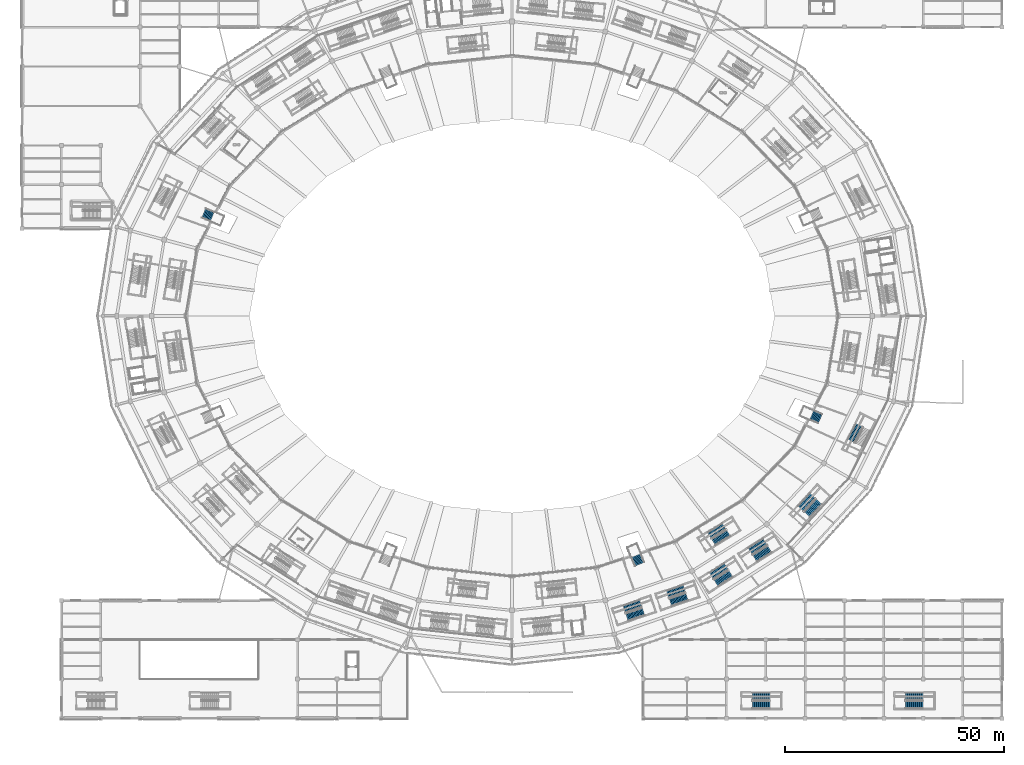
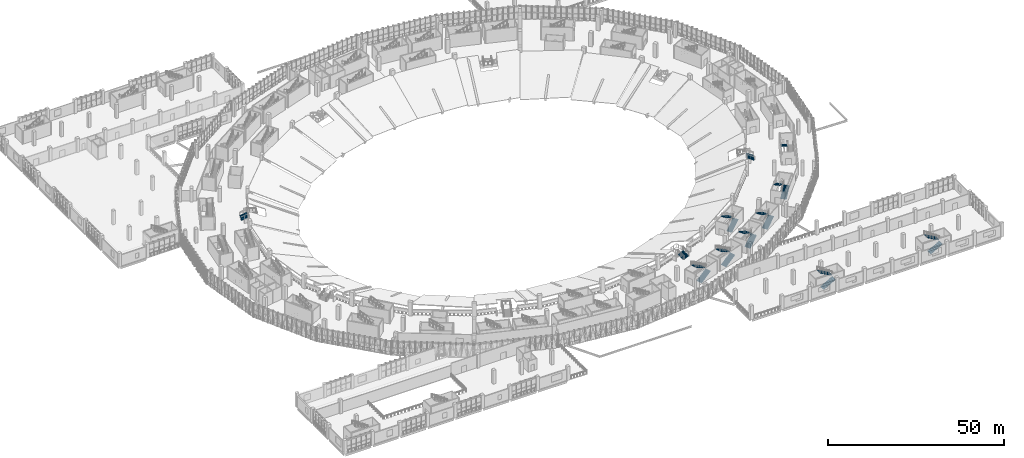
# One storey, part 115 of 183: 20 stair flights, 12 elements without a shape of their own.
"""IFC4 building model written with IfcOpenShell, lengths in metres."""

from ifc_helpers import new_model, si_unit, direction, frame, origin, place, context, subcontext, project, spatial, polyline, outline, extrude, material, type_object, element, aggregate, save


model = new_model("IFC4")

# Units and contexts
model_context = context("Model", 3, precision=1e-05, world=origin(), true_north=direction((0.0, 1.0)))
body_context = subcontext(model_context, "Body", "Model", "MODEL_VIEW")
ifc_project = project(units=[si_unit("LENGTHUNIT", "METRE"), si_unit("AREAUNIT", "SQUARE_METRE"), si_unit("VOLUMEUNIT", "CUBIC_METRE"), si_unit("PLANEANGLEUNIT", "RADIAN"), si_unit("MASSUNIT", "GRAM", prefix="KILO")], contexts=[model_context])

# Site, building, storey
site_placement = place(None, origin())
site = spatial("IfcSite", under=ifc_project, at=site_placement, CompositionType="ELEMENT")
building_placement = place(site_placement, origin())
building = spatial("IfcBuilding", under=site, at=building_placement, Name="Zevraka Park Crest Stadium", CompositionType="ELEMENT")
storey_placement = place(building_placement, frame((0.0, 0.0, 5.39990234375)))
storey = spatial("IfcBuildingStorey", under=building, at=storey_placement, Name="L01", CompositionType="ELEMENT", Elevation=5.39990234375)

# Stair, stair flights
ifc_material_1 = material(Name="Concrete C35/45", Category="concrete")
stair_type_1 = type_object("IfcStairType", Name="STA2", PredefinedType="HALF_TURN_STAIR", material=ifc_material_1)
stair_1_placement = place(storey_placement, origin())
stair_1 = element("IfcStair", 1, at=stair_1_placement, inside=storey, type_object=stair_type_1, Name="L01 Protected Concourse Exit Stair ST20", PredefinedType="HALF_TURN_STAIR")
ifc_material_2 = material(Name="Concrete C35/45", Category="concrete")
stair_flight_type_1 = type_object("IfcStairFlightType", Name="FLA2", PredefinedType="STRAIGHT", material=ifc_material_2)
stair_flight_1_placement = place(storey_placement, frame((138.29150390625, 23.13232421875, 0.0), z_axis=(0.0, 0.0, 1.0), x_axis=(0.946066135515, 0.323973559463, 0.0)))
stair_flight_1 = element("IfcStairFlight", 2, at=stair_flight_1_placement, type_object=stair_flight_type_1, Name="ST20 flight 1", NumberOfRisers=14, NumberOfTreads=13, PredefinedType="STRAIGHT", RiserHeight=0.171428571, TreadLength=0.305, context=body_context, shape_type="SweptSolid", body=[
    extrude(outline(polyline([(0.0, 0.0), (0.0, 0.17138671875), (0.304931640625, 0.17138671875), (0.304931640625, 0.3427734375), (0.610107421875, 0.3427734375), (0.610107421875, 0.514404296875), (0.9150390625, 0.514404296875), (0.9150390625, 0.685791015625), (1.219970703125, 0.685791015625), (1.219970703125, 0.857177734375), (1.52490234375, 0.857177734375), (1.52490234375, 1.028564453125), (1.830078125, 1.028564453125), (1.830078125, 1.199951171875), (2.135009765625, 1.199951171875), (2.135009765625, 1.371337890625), (2.43994140625, 1.371337890625), (2.43994140625, 1.54296875), (2.7451171875, 1.54296875), (2.7451171875, 1.71435546875), (3.050048828125, 1.71435546875), (3.050048828125, 1.8857421875), (3.35498046875, 1.8857421875), (3.35498046875, 2.05712890625), (3.659912109375, 2.05712890625), (3.659912109375, 2.228515625), (3.965087890625, 2.228515625), (3.965087890625, 2.39990234375), (3.965087890625, 2.045166015625), (0.326416015625, 0.0), (0.0, 0.0)])), frame((0.0, 0.89990234375, 0.0), z_axis=(0.0, -1.0, 0.0), x_axis=(1.0, 0.0, 0.0)), (0.0, 0.0, 1.0), 1.800048828125),
])
stair_flight_2_placement = place(storey_placement, frame((141.40771484375, 26.271240234375, 2.400146484375), z_axis=(0.0, 0.0, 1.0), x_axis=(-0.946066135515, -0.323973559463, 0.0)))
stair_flight_2 = element("IfcStairFlight", 3, at=stair_flight_2_placement, type_object=stair_flight_type_1, Name="ST20 flight 2", NumberOfRisers=14, NumberOfTreads=13, PredefinedType="STRAIGHT", RiserHeight=0.171428571, TreadLength=0.305, context=body_context, shape_type="SweptSolid", body=[
    extrude(outline(polyline([(0.0, 0.0), (0.0, 0.17138671875), (0.304931640625, 0.17138671875), (0.304931640625, 0.3427734375), (0.610107421875, 0.3427734375), (0.610107421875, 0.514404296875), (0.9150390625, 0.514404296875), (0.9150390625, 0.685791015625), (1.219970703125, 0.685791015625), (1.219970703125, 0.857177734375), (1.52490234375, 0.857177734375), (1.52490234375, 1.028564453125), (1.830078125, 1.028564453125), (1.830078125, 1.199951171875), (2.135009765625, 1.199951171875), (2.135009765625, 1.371337890625), (2.43994140625, 1.371337890625), (2.43994140625, 1.54296875), (2.7451171875, 1.54296875), (2.7451171875, 1.71435546875), (3.050048828125, 1.71435546875), (3.050048828125, 1.8857421875), (3.35498046875, 1.8857421875), (3.35498046875, 2.05712890625), (3.659912109375, 2.05712890625), (3.659912109375, 2.228515625), (3.965087890625, 2.228515625), (3.965087890625, 2.39990234375), (3.965087890625, 2.045166015625), (0.326416015625, 0.0), (0.0, 0.0)])), frame((0.0, 0.89990234375, 0.0), z_axis=(0.0, -1.0, 0.0), x_axis=(1.0, 0.0, 0.0)), (0.0, 0.0, 1.0), 1.800048828125),
])
aggregate(stair_1, [stair_flight_1, stair_flight_2])

stair_2_placement = place(storey_placement, origin())
stair_2 = element("IfcStair", 4, at=stair_2_placement, inside=storey, type_object=stair_type_1, Name="L01 Protected Concourse Exit Stair ST21", PredefinedType="HALF_TURN_STAIR")
stair_flight_3_placement = place(storey_placement, frame((158.64990234375, 30.957275390625, 0.0), z_axis=(0.0, 0.0, 1.0), x_axis=(0.844397122829, 0.535717741874, 0.0)))
stair_flight_3 = element("IfcStairFlight", 5, at=stair_flight_3_placement, type_object=stair_flight_type_1, Name="ST21 flight 1", NumberOfRisers=14, NumberOfTreads=13, PredefinedType="STRAIGHT", RiserHeight=0.171428571, TreadLength=0.305, context=body_context, shape_type="SweptSolid", body=[
    extrude(outline(polyline([(0.0, 0.0), (0.0, 0.17138671875), (0.304931640625, 0.17138671875), (0.304931640625, 0.3427734375), (0.610107421875, 0.3427734375), (0.610107421875, 0.514404296875), (0.9150390625, 0.514404296875), (0.9150390625, 0.685791015625), (1.219970703125, 0.685791015625), (1.219970703125, 0.857177734375), (1.52490234375, 0.857177734375), (1.52490234375, 1.028564453125), (1.830078125, 1.028564453125), (1.830078125, 1.199951171875), (2.135009765625, 1.199951171875), (2.135009765625, 1.371337890625), (2.43994140625, 1.371337890625), (2.43994140625, 1.54296875), (2.7451171875, 1.54296875), (2.7451171875, 1.71435546875), (3.050048828125, 1.71435546875), (3.050048828125, 1.8857421875), (3.35498046875, 1.8857421875), (3.35498046875, 2.05712890625), (3.659912109375, 2.05712890625), (3.659912109375, 2.228515625), (3.965087890625, 2.228515625), (3.965087890625, 2.39990234375), (3.965087890625, 2.045166015625), (0.326416015625, 0.0), (0.0, 0.0)])), frame((0.0, 0.89990234375, 0.0), z_axis=(0.0, -1.0, 0.0), x_axis=(1.0, 0.0, 0.0)), (0.0, 0.0, 1.0), 1.800048828125),
])
stair_flight_4_placement = place(storey_placement, frame((160.94775390625, 34.736328125, 2.400146484375), z_axis=(0.0, 0.0, 1.0), x_axis=(-0.844397122829, -0.535717741874, 0.0)))
stair_flight_4 = element("IfcStairFlight", 6, at=stair_flight_4_placement, type_object=stair_flight_type_1, Name="ST21 flight 2", NumberOfRisers=14, NumberOfTreads=13, PredefinedType="STRAIGHT", RiserHeight=0.171428571, TreadLength=0.305, context=body_context, shape_type="SweptSolid", body=[
    extrude(outline(polyline([(0.0, 0.0), (0.0, 0.17138671875), (0.304931640625, 0.17138671875), (0.304931640625, 0.3427734375), (0.610107421875, 0.3427734375), (0.610107421875, 0.514404296875), (0.9150390625, 0.514404296875), (0.9150390625, 0.685791015625), (1.219970703125, 0.685791015625), (1.219970703125, 0.857177734375), (1.52490234375, 0.857177734375), (1.52490234375, 1.028564453125), (1.830078125, 1.028564453125), (1.830078125, 1.199951171875), (2.135009765625, 1.199951171875), (2.135009765625, 1.371337890625), (2.43994140625, 1.371337890625), (2.43994140625, 1.54296875), (2.7451171875, 1.54296875), (2.7451171875, 1.71435546875), (3.050048828125, 1.71435546875), (3.050048828125, 1.8857421875), (3.35498046875, 1.8857421875), (3.35498046875, 2.05712890625), (3.659912109375, 2.05712890625), (3.659912109375, 2.228515625), (3.965087890625, 2.228515625), (3.965087890625, 2.39990234375), (3.965087890625, 2.045166015625), (0.326416015625, 0.0), (0.0, 0.0)])), frame((0.0, 0.89990234375, 0.0), z_axis=(0.0, -1.0, 0.0), x_axis=(1.0, 0.0, 0.0)), (0.0, 0.0, 1.0), 1.800048828125),
])
aggregate(stair_2, [stair_flight_3, stair_flight_4])

stair_3_placement = place(storey_placement, origin())
stair_3 = element("IfcStair", 7, at=stair_3_placement, inside=storey, type_object=stair_type_1, Name="L01 Protected Concourse Exit Stair ST22", PredefinedType="HALF_TURN_STAIR")
stair_flight_5_placement = place(storey_placement, frame((179.4580078125, 46.634765625, 0.0), z_axis=(0.0, 0.0, 1.0), x_axis=(0.680255347227, 0.732975212793, 0.0)))
stair_flight_5 = element("IfcStairFlight", 8, at=stair_flight_5_placement, type_object=stair_flight_type_1, Name="ST22 flight 1", NumberOfRisers=14, NumberOfTreads=13, PredefinedType="STRAIGHT", RiserHeight=0.171428571, TreadLength=0.305, context=body_context, shape_type="SweptSolid", body=[
    extrude(outline(polyline([(0.0, 0.0), (0.0, 0.17138671875), (0.304931640625, 0.17138671875), (0.304931640625, 0.3427734375), (0.610107421875, 0.3427734375), (0.610107421875, 0.514404296875), (0.9150390625, 0.514404296875), (0.9150390625, 0.685791015625), (1.219970703125, 0.685791015625), (1.219970703125, 0.857177734375), (1.52490234375, 0.857177734375), (1.52490234375, 1.028564453125), (1.830078125, 1.028564453125), (1.830078125, 1.199951171875), (2.135009765625, 1.199951171875), (2.135009765625, 1.371337890625), (2.43994140625, 1.371337890625), (2.43994140625, 1.54296875), (2.7451171875, 1.54296875), (2.7451171875, 1.71435546875), (3.050048828125, 1.71435546875), (3.050048828125, 1.8857421875), (3.35498046875, 1.8857421875), (3.35498046875, 2.05712890625), (3.659912109375, 2.05712890625), (3.659912109375, 2.228515625), (3.965087890625, 2.228515625), (3.965087890625, 2.39990234375), (3.965087890625, 2.045166015625), (0.326416015625, 0.0), (0.0, 0.0)])), frame((0.0, 0.89990234375, 0.0), z_axis=(0.0, -1.0, 0.0), x_axis=(1.0, 0.0, 0.0)), (0.0, 0.0, 1.0), 1.800048828125),
])
stair_flight_6_placement = place(storey_placement, frame((180.718505859375, 50.874267578125, 2.400146484375), z_axis=(0.0, 0.0, 1.0), x_axis=(-0.680255347227, -0.732975212793, 0.0)))
stair_flight_6 = element("IfcStairFlight", 9, at=stair_flight_6_placement, type_object=stair_flight_type_1, Name="ST22 flight 2", NumberOfRisers=14, NumberOfTreads=13, PredefinedType="STRAIGHT", RiserHeight=0.171428571, TreadLength=0.305, context=body_context, shape_type="SweptSolid", body=[
    extrude(outline(polyline([(0.0, 0.0), (0.0, 0.17138671875), (0.304931640625, 0.17138671875), (0.304931640625, 0.3427734375), (0.610107421875, 0.3427734375), (0.610107421875, 0.514404296875), (0.9150390625, 0.514404296875), (0.9150390625, 0.685791015625), (1.219970703125, 0.685791015625), (1.219970703125, 0.857177734375), (1.52490234375, 0.857177734375), (1.52490234375, 1.028564453125), (1.830078125, 1.028564453125), (1.830078125, 1.199951171875), (2.135009765625, 1.199951171875), (2.135009765625, 1.371337890625), (2.43994140625, 1.371337890625), (2.43994140625, 1.54296875), (2.7451171875, 1.54296875), (2.7451171875, 1.71435546875), (3.050048828125, 1.71435546875), (3.050048828125, 1.8857421875), (3.35498046875, 1.8857421875), (3.35498046875, 2.05712890625), (3.659912109375, 2.05712890625), (3.659912109375, 2.228515625), (3.965087890625, 2.228515625), (3.965087890625, 2.39990234375), (3.965087890625, 2.045166015625), (0.326416015625, 0.0), (0.0, 0.0)])), frame((0.0, 0.89990234375, 0.0), z_axis=(0.0, -1.0, 0.0), x_axis=(1.0, 0.0, 0.0)), (0.0, 0.0, 1.0), 1.800048828125),
])
aggregate(stair_3, [stair_flight_5, stair_flight_6])

# Stair, stair flight
stair_4_placement = place(storey_placement, origin())
stair_4 = element("IfcStair", 10, at=stair_4_placement, inside=storey, type_object=stair_type_1, Name="L01 Protected Concourse Exit Stair ST23", PredefinedType="HALF_TURN_STAIR")
stair_flight_7_placement = place(storey_placement, frame((191.315673828125, 67.00732421875, 2.400146484375), z_axis=(0.0, 0.0, 1.0), x_axis=(-0.447915140373, -0.894076074518, 0.0)))
stair_flight_7 = element("IfcStairFlight", 11, at=stair_flight_7_placement, type_object=stair_flight_type_1, Name="ST23 flight 2", NumberOfRisers=14, NumberOfTreads=13, PredefinedType="STRAIGHT", RiserHeight=0.171428571, TreadLength=0.305, context=body_context, shape_type="SweptSolid", body=[
    extrude(outline(polyline([(0.0, 0.0), (0.0, 0.17138671875), (0.304931640625, 0.17138671875), (0.304931640625, 0.3427734375), (0.610107421875, 0.3427734375), (0.610107421875, 0.514404296875), (0.9150390625, 0.514404296875), (0.9150390625, 0.685791015625), (1.219970703125, 0.685791015625), (1.219970703125, 0.857177734375), (1.52490234375, 0.857177734375), (1.52490234375, 1.028564453125), (1.830078125, 1.028564453125), (1.830078125, 1.199951171875), (2.135009765625, 1.199951171875), (2.135009765625, 1.371337890625), (2.43994140625, 1.371337890625), (2.43994140625, 1.54296875), (2.7451171875, 1.54296875), (2.7451171875, 1.71435546875), (3.050048828125, 1.71435546875), (3.050048828125, 1.8857421875), (3.35498046875, 1.8857421875), (3.35498046875, 2.05712890625), (3.659912109375, 2.05712890625), (3.659912109375, 2.228515625), (3.965087890625, 2.228515625), (3.965087890625, 2.39990234375), (3.965087890625, 2.045166015625), (0.326416015625, 0.0), (0.0, 0.0)])), frame((0.0, 0.89990234375, 0.0), z_axis=(0.0, -1.0, 0.0), x_axis=(1.0, 0.0, 0.0)), (0.0, 0.0, 1.0), 1.800048828125),
])
aggregate(stair_4, [stair_flight_7])

# Stair, stair flights
stair_5_placement = place(storey_placement, origin())
stair_5 = element("IfcStair", 12, at=stair_5_placement, inside=storey, type_object=stair_type_1, Name="L01 Protected Paired Concourse Exit Stair ST31", PredefinedType="HALF_TURN_STAIR")
stair_flight_8_placement = place(storey_placement, frame((148.2255859375, 26.533447265625, 0.0), z_axis=(0.0, 0.0, 1.0), x_axis=(0.946066135515, 0.323973559463, 0.0)))
stair_flight_8 = element("IfcStairFlight", 13, at=stair_flight_8_placement, type_object=stair_flight_type_1, Name="ST31 flight 1", NumberOfRisers=14, NumberOfTreads=13, PredefinedType="STRAIGHT", RiserHeight=0.171428571, TreadLength=0.305, context=body_context, shape_type="SweptSolid", body=[
    extrude(outline(polyline([(0.0, 0.0), (0.0, 0.17138671875), (0.304931640625, 0.17138671875), (0.304931640625, 0.3427734375), (0.610107421875, 0.3427734375), (0.610107421875, 0.514404296875), (0.9150390625, 0.514404296875), (0.9150390625, 0.685791015625), (1.219970703125, 0.685791015625), (1.219970703125, 0.857177734375), (1.52490234375, 0.857177734375), (1.52490234375, 1.028564453125), (1.830078125, 1.028564453125), (1.830078125, 1.199951171875), (2.135009765625, 1.199951171875), (2.135009765625, 1.371337890625), (2.43994140625, 1.371337890625), (2.43994140625, 1.54296875), (2.7451171875, 1.54296875), (2.7451171875, 1.71435546875), (3.050048828125, 1.71435546875), (3.050048828125, 1.8857421875), (3.35498046875, 1.8857421875), (3.35498046875, 2.05712890625), (3.659912109375, 2.05712890625), (3.659912109375, 2.228515625), (3.965087890625, 2.228515625), (3.965087890625, 2.39990234375), (3.965087890625, 2.045166015625), (0.326416015625, 0.0), (0.0, 0.0)])), frame((0.0, 0.89990234375, 0.0), z_axis=(0.0, -1.0, 0.0), x_axis=(1.0, 0.0, 0.0)), (0.0, 0.0, 1.0), 1.800048828125),
])
stair_flight_9_placement = place(storey_placement, frame((151.341796875, 29.672119140625, 2.400146484375), z_axis=(0.0, 0.0, 1.0), x_axis=(-0.946066135515, -0.323973559463, 0.0)))
stair_flight_9 = element("IfcStairFlight", 14, at=stair_flight_9_placement, type_object=stair_flight_type_1, Name="ST31 flight 2", NumberOfRisers=14, NumberOfTreads=13, PredefinedType="STRAIGHT", RiserHeight=0.171428571, TreadLength=0.305, context=body_context, shape_type="SweptSolid", body=[
    extrude(outline(polyline([(0.0, 0.0), (0.0, 0.17138671875), (0.304931640625, 0.17138671875), (0.304931640625, 0.3427734375), (0.610107421875, 0.3427734375), (0.610107421875, 0.514404296875), (0.9150390625, 0.514404296875), (0.9150390625, 0.685791015625), (1.219970703125, 0.685791015625), (1.219970703125, 0.857177734375), (1.52490234375, 0.857177734375), (1.52490234375, 1.028564453125), (1.830078125, 1.028564453125), (1.830078125, 1.199951171875), (2.135009765625, 1.199951171875), (2.135009765625, 1.371337890625), (2.43994140625, 1.371337890625), (2.43994140625, 1.54296875), (2.7451171875, 1.54296875), (2.7451171875, 1.71435546875), (3.050048828125, 1.71435546875), (3.050048828125, 1.8857421875), (3.35498046875, 1.8857421875), (3.35498046875, 2.05712890625), (3.659912109375, 2.05712890625), (3.659912109375, 2.228515625), (3.965087890625, 2.228515625), (3.965087890625, 2.39990234375), (3.965087890625, 2.045166015625), (0.326416015625, 0.0), (0.0, 0.0)])), frame((0.0, 0.89990234375, 0.0), z_axis=(0.0, -1.0, 0.0), x_axis=(1.0, 0.0, 0.0)), (0.0, 0.0, 1.0), 1.800048828125),
])
aggregate(stair_5, [stair_flight_8, stair_flight_9])

stair_6_placement = place(storey_placement, origin())
stair_6 = element("IfcStair", 15, at=stair_6_placement, inside=storey, type_object=stair_type_1, Name="L01 Protected Paired Concourse Exit Stair ST32", PredefinedType="HALF_TURN_STAIR")
stair_flight_10_placement = place(storey_placement, frame((167.515869140625, 36.582275390625, 0.0), z_axis=(0.0, 0.0, 1.0), x_axis=(0.844397122829, 0.535717741874, 0.0)))
stair_flight_10 = element("IfcStairFlight", 16, at=stair_flight_10_placement, type_object=stair_flight_type_1, Name="ST32 flight 1", NumberOfRisers=14, NumberOfTreads=13, PredefinedType="STRAIGHT", RiserHeight=0.171428571, TreadLength=0.305, context=body_context, shape_type="SweptSolid", body=[
    extrude(outline(polyline([(0.0, 0.0), (0.0, 0.17138671875), (0.304931640625, 0.17138671875), (0.304931640625, 0.3427734375), (0.610107421875, 0.3427734375), (0.610107421875, 0.514404296875), (0.9150390625, 0.514404296875), (0.9150390625, 0.685791015625), (1.219970703125, 0.685791015625), (1.219970703125, 0.857177734375), (1.52490234375, 0.857177734375), (1.52490234375, 1.028564453125), (1.830078125, 1.028564453125), (1.830078125, 1.199951171875), (2.135009765625, 1.199951171875), (2.135009765625, 1.371337890625), (2.43994140625, 1.371337890625), (2.43994140625, 1.54296875), (2.7451171875, 1.54296875), (2.7451171875, 1.71435546875), (3.050048828125, 1.71435546875), (3.050048828125, 1.8857421875), (3.35498046875, 1.8857421875), (3.35498046875, 2.05712890625), (3.659912109375, 2.05712890625), (3.659912109375, 2.228515625), (3.965087890625, 2.228515625), (3.965087890625, 2.39990234375), (3.965087890625, 2.045166015625), (0.326416015625, 0.0), (0.0, 0.0)])), frame((0.0, 0.89990234375, 0.0), z_axis=(0.0, -1.0, 0.0), x_axis=(1.0, 0.0, 0.0)), (0.0, 0.0, 1.0), 1.800048828125),
])
stair_flight_11_placement = place(storey_placement, frame((169.81396484375, 40.361328125, 2.400146484375), z_axis=(0.0, 0.0, 1.0), x_axis=(-0.844397122829, -0.535717741874, 0.0)))
stair_flight_11 = element("IfcStairFlight", 17, at=stair_flight_11_placement, type_object=stair_flight_type_1, Name="ST32 flight 2", NumberOfRisers=14, NumberOfTreads=13, PredefinedType="STRAIGHT", RiserHeight=0.171428571, TreadLength=0.305, context=body_context, shape_type="SweptSolid", body=[
    extrude(outline(polyline([(0.0, 0.0), (0.0, 0.17138671875), (0.304931640625, 0.17138671875), (0.304931640625, 0.3427734375), (0.610107421875, 0.3427734375), (0.610107421875, 0.514404296875), (0.9150390625, 0.514404296875), (0.9150390625, 0.685791015625), (1.219970703125, 0.685791015625), (1.219970703125, 0.857177734375), (1.52490234375, 0.857177734375), (1.52490234375, 1.028564453125), (1.830078125, 1.028564453125), (1.830078125, 1.199951171875), (2.135009765625, 1.199951171875), (2.135009765625, 1.371337890625), (2.43994140625, 1.371337890625), (2.43994140625, 1.54296875), (2.7451171875, 1.54296875), (2.7451171875, 1.71435546875), (3.050048828125, 1.71435546875), (3.050048828125, 1.8857421875), (3.35498046875, 1.8857421875), (3.35498046875, 2.05712890625), (3.659912109375, 2.05712890625), (3.659912109375, 2.228515625), (3.965087890625, 2.228515625), (3.965087890625, 2.39990234375), (3.965087890625, 2.045166015625), (0.326416015625, 0.0), (0.0, 0.0)])), frame((0.0, 0.89990234375, 0.0), z_axis=(0.0, -1.0, 0.0), x_axis=(1.0, 0.0, 0.0)), (0.0, 0.0, 1.0), 1.800048828125),
])
aggregate(stair_6, [stair_flight_10, stair_flight_11])

ifc_material_3 = material(Name="Concrete C35/45", Category="concrete")
stair_type_2 = type_object("IfcStairType", Name="STB2", PredefinedType="HALF_TURN_STAIR", material=ifc_material_3)
stair_7_placement = place(storey_placement, origin())
stair_7 = element("IfcStair", 18, at=stair_7_placement, inside=storey, type_object=stair_type_2, Name="L01 Protected Concourse Relief Stair ST43", PredefinedType="HALF_TURN_STAIR")
ifc_material_4 = material(Name="Concrete C35/45", Category="concrete")
stair_flight_type_2 = type_object("IfcStairFlightType", Name="FLB2", PredefinedType="STRAIGHT", material=ifc_material_4)
stair_flight_12_placement = place(storey_placement, frame((158.07470703125, 40.2939453125, 0.0), z_axis=(0.0, 0.0, 1.0), x_axis=(0.849693054671, 0.527277643035, 0.0)))
stair_flight_12 = element("IfcStairFlight", 19, at=stair_flight_12_placement, type_object=stair_flight_type_2, Name="ST43 flight 1", NumberOfRisers=14, NumberOfTreads=13, PredefinedType="STRAIGHT", RiserHeight=0.171428571, TreadLength=0.305, context=body_context, shape_type="SweptSolid", body=[
    extrude(outline(polyline([(0.0, 0.0), (0.0, 0.17138671875), (0.304931640625, 0.17138671875), (0.304931640625, 0.3427734375), (0.610107421875, 0.3427734375), (0.610107421875, 0.514404296875), (0.9150390625, 0.514404296875), (0.9150390625, 0.685791015625), (1.219970703125, 0.685791015625), (1.219970703125, 0.857177734375), (1.52490234375, 0.857177734375), (1.52490234375, 1.028564453125), (1.830078125, 1.028564453125), (1.830078125, 1.199951171875), (2.135009765625, 1.199951171875), (2.135009765625, 1.371337890625), (2.43994140625, 1.371337890625), (2.43994140625, 1.54296875), (2.7451171875, 1.54296875), (2.7451171875, 1.71435546875), (3.050048828125, 1.71435546875), (3.050048828125, 1.8857421875), (3.35498046875, 1.8857421875), (3.35498046875, 2.05712890625), (3.659912109375, 2.05712890625), (3.659912109375, 2.228515625), (3.965087890625, 2.228515625), (3.965087890625, 2.39990234375), (3.965087890625, 2.045166015625), (0.326416015625, 0.0), (0.0, 0.0)])), frame((0.0, 0.824951171875, 0.0), z_axis=(0.0, -1.0, 0.0), x_axis=(1.0, 0.0, 0.0)), (0.0, 0.0, 1.0), 1.64990234375),
])
stair_flight_13_placement = place(storey_placement, frame((160.489501953125, 43.92236328125, 2.400146484375), z_axis=(0.0, 0.0, 1.0), x_axis=(-0.849693054671, -0.527277643035, 0.0)))
stair_flight_13 = element("IfcStairFlight", 20, at=stair_flight_13_placement, type_object=stair_flight_type_2, Name="ST43 flight 2", NumberOfRisers=14, NumberOfTreads=13, PredefinedType="STRAIGHT", RiserHeight=0.171428571, TreadLength=0.305, context=body_context, shape_type="SweptSolid", body=[
    extrude(outline(polyline([(0.0, 0.0), (0.0, 0.17138671875), (0.304931640625, 0.17138671875), (0.304931640625, 0.3427734375), (0.610107421875, 0.3427734375), (0.610107421875, 0.514404296875), (0.9150390625, 0.514404296875), (0.9150390625, 0.685791015625), (1.219970703125, 0.685791015625), (1.219970703125, 0.857177734375), (1.52490234375, 0.857177734375), (1.52490234375, 1.028564453125), (1.830078125, 1.028564453125), (1.830078125, 1.199951171875), (2.135009765625, 1.199951171875), (2.135009765625, 1.371337890625), (2.43994140625, 1.371337890625), (2.43994140625, 1.54296875), (2.7451171875, 1.54296875), (2.7451171875, 1.71435546875), (3.050048828125, 1.71435546875), (3.050048828125, 1.8857421875), (3.35498046875, 1.8857421875), (3.35498046875, 2.05712890625), (3.659912109375, 2.05712890625), (3.659912109375, 2.228515625), (3.965087890625, 2.228515625), (3.965087890625, 2.39990234375), (3.965087890625, 2.045166015625), (0.326416015625, 0.0), (0.0, 0.0)])), frame((0.0, 0.824951171875, 0.0), z_axis=(0.0, -1.0, 0.0), x_axis=(1.0, 0.0, 0.0)), (0.0, 0.0, 1.0), 1.64990234375),
])
aggregate(stair_7, [stair_flight_12, stair_flight_13])

ifc_material_5 = material(Name="Concrete C35/45", Category="concrete")
stair_type_3 = type_object("IfcStairType", Name="STC2", PredefinedType="HALF_TURN_STAIR", material=ifc_material_5)
stair_8_placement = place(storey_placement, origin())
stair_8 = element("IfcStair", 21, at=stair_8_placement, inside=storey, type_object=stair_type_3, Name="L01 Southeast Plant Wing West Stair ST53", PredefinedType="HALF_TURN_STAIR")
ifc_material_6 = material(Name="Concrete C35/45", Category="concrete")
stair_flight_type_3 = type_object("IfcStairFlightType", Name="FLC2", PredefinedType="STRAIGHT", material=ifc_material_6)
stair_flight_14_placement = place(storey_placement, frame((166.949951171875, 3.125, 0.0), z_axis=(0.0, 0.0, 1.0), x_axis=(1.0, 0.0, 0.0)))
stair_flight_14 = element("IfcStairFlight", 22, at=stair_flight_14_placement, type_object=stair_flight_type_3, Name="ST53 flight 1", NumberOfRisers=14, NumberOfTreads=13, PredefinedType="STRAIGHT", RiserHeight=0.171428571, TreadLength=0.305, context=body_context, shape_type="SweptSolid", body=[
    extrude(outline(polyline([(0.0, 0.0), (0.0, 0.17138671875), (0.304931640625, 0.17138671875), (0.304931640625, 0.3427734375), (0.610107421875, 0.3427734375), (0.610107421875, 0.514404296875), (0.9150390625, 0.514404296875), (0.9150390625, 0.685791015625), (1.219970703125, 0.685791015625), (1.219970703125, 0.857177734375), (1.52490234375, 0.857177734375), (1.52490234375, 1.028564453125), (1.830078125, 1.028564453125), (1.830078125, 1.199951171875), (2.135009765625, 1.199951171875), (2.135009765625, 1.371337890625), (2.43994140625, 1.371337890625), (2.43994140625, 1.54296875), (2.7451171875, 1.54296875), (2.7451171875, 1.71435546875), (3.050048828125, 1.71435546875), (3.050048828125, 1.8857421875), (3.35498046875, 1.8857421875), (3.35498046875, 2.05712890625), (3.659912109375, 2.05712890625), (3.659912109375, 2.228515625), (3.965087890625, 2.228515625), (3.965087890625, 2.39990234375), (3.965087890625, 2.045166015625), (0.326416015625, 0.0), (0.0, 0.0)])), frame((0.0, 0.875, 0.0), z_axis=(0.0, -1.0, 0.0), x_axis=(1.0, 0.0, 0.0)), (0.0, 0.0, 1.0), 1.75),
])
stair_flight_15_placement = place(storey_placement, frame((170.9150390625, 5.034912109375, 2.400146484375), z_axis=(0.0, 0.0, 1.0), x_axis=(-1.0, 0.0, 0.0)))
stair_flight_15 = element("IfcStairFlight", 23, at=stair_flight_15_placement, type_object=stair_flight_type_3, Name="ST53 flight 2", NumberOfRisers=14, NumberOfTreads=13, PredefinedType="STRAIGHT", RiserHeight=0.171428571, TreadLength=0.305, context=body_context, shape_type="SweptSolid", body=[
    extrude(outline(polyline([(0.0, 0.0), (0.0, 0.17138671875), (0.304931640625, 0.17138671875), (0.304931640625, 0.3427734375), (0.610107421875, 0.3427734375), (0.610107421875, 0.514404296875), (0.9150390625, 0.514404296875), (0.9150390625, 0.685791015625), (1.219970703125, 0.685791015625), (1.219970703125, 0.857177734375), (1.52490234375, 0.857177734375), (1.52490234375, 1.028564453125), (1.830078125, 1.028564453125), (1.830078125, 1.199951171875), (2.135009765625, 1.199951171875), (2.135009765625, 1.371337890625), (2.43994140625, 1.371337890625), (2.43994140625, 1.54296875), (2.7451171875, 1.54296875), (2.7451171875, 1.71435546875), (3.050048828125, 1.71435546875), (3.050048828125, 1.8857421875), (3.35498046875, 1.8857421875), (3.35498046875, 2.05712890625), (3.659912109375, 2.05712890625), (3.659912109375, 2.228515625), (3.965087890625, 2.228515625), (3.965087890625, 2.39990234375), (3.965087890625, 2.045166015625), (0.326416015625, 0.0), (0.0, 0.0)])), frame((0.0, 0.875, 0.0), z_axis=(0.0, -1.0, 0.0), x_axis=(1.0, 0.0, 0.0)), (0.0, 0.0, 1.0), 1.75),
])
aggregate(stair_8, [stair_flight_14, stair_flight_15])

stair_9_placement = place(storey_placement, origin())
stair_9 = element("IfcStair", 24, at=stair_9_placement, inside=storey, type_object=stair_type_3, Name="L01 Southeast Plant Wing East Stair ST54", PredefinedType="HALF_TURN_STAIR")
stair_flight_16_placement = place(storey_placement, frame((201.949951171875, 3.125, 0.0), z_axis=(0.0, 0.0, 1.0), x_axis=(1.0, 0.0, 0.0)))
stair_flight_16 = element("IfcStairFlight", 25, at=stair_flight_16_placement, type_object=stair_flight_type_3, Name="ST54 flight 1", NumberOfRisers=14, NumberOfTreads=13, PredefinedType="STRAIGHT", RiserHeight=0.171428571, TreadLength=0.305, context=body_context, shape_type="SweptSolid", body=[
    extrude(outline(polyline([(0.0, 0.0), (0.0, 0.17138671875), (0.304931640625, 0.17138671875), (0.304931640625, 0.3427734375), (0.610107421875, 0.3427734375), (0.610107421875, 0.514404296875), (0.9150390625, 0.514404296875), (0.9150390625, 0.685791015625), (1.219970703125, 0.685791015625), (1.219970703125, 0.857177734375), (1.52490234375, 0.857177734375), (1.52490234375, 1.028564453125), (1.830078125, 1.028564453125), (1.830078125, 1.199951171875), (2.135009765625, 1.199951171875), (2.135009765625, 1.371337890625), (2.43994140625, 1.371337890625), (2.43994140625, 1.54296875), (2.7451171875, 1.54296875), (2.7451171875, 1.71435546875), (3.050048828125, 1.71435546875), (3.050048828125, 1.8857421875), (3.35498046875, 1.8857421875), (3.35498046875, 2.05712890625), (3.659912109375, 2.05712890625), (3.659912109375, 2.228515625), (3.965087890625, 2.228515625), (3.965087890625, 2.39990234375), (3.965087890625, 2.045166015625), (0.326416015625, 0.0), (0.0, 0.0)])), frame((0.0, 0.875, 0.0), z_axis=(0.0, -1.0, 0.0), x_axis=(1.0, 0.0, 0.0)), (0.0, 0.0, 1.0), 1.75),
])
stair_flight_17_placement = place(storey_placement, frame((205.9150390625, 5.034912109375, 2.400146484375), z_axis=(0.0, 0.0, 1.0), x_axis=(-1.0, 0.0, 0.0)))
stair_flight_17 = element("IfcStairFlight", 26, at=stair_flight_17_placement, type_object=stair_flight_type_3, Name="ST54 flight 2", NumberOfRisers=14, NumberOfTreads=13, PredefinedType="STRAIGHT", RiserHeight=0.171428571, TreadLength=0.305, context=body_context, shape_type="SweptSolid", body=[
    extrude(outline(polyline([(0.0, 0.0), (0.0, 0.17138671875), (0.304931640625, 0.17138671875), (0.304931640625, 0.3427734375), (0.610107421875, 0.3427734375), (0.610107421875, 0.514404296875), (0.9150390625, 0.514404296875), (0.9150390625, 0.685791015625), (1.219970703125, 0.685791015625), (1.219970703125, 0.857177734375), (1.52490234375, 0.857177734375), (1.52490234375, 1.028564453125), (1.830078125, 1.028564453125), (1.830078125, 1.199951171875), (2.135009765625, 1.199951171875), (2.135009765625, 1.371337890625), (2.43994140625, 1.371337890625), (2.43994140625, 1.54296875), (2.7451171875, 1.54296875), (2.7451171875, 1.71435546875), (3.050048828125, 1.71435546875), (3.050048828125, 1.8857421875), (3.35498046875, 1.8857421875), (3.35498046875, 2.05712890625), (3.659912109375, 2.05712890625), (3.659912109375, 2.228515625), (3.965087890625, 2.228515625), (3.965087890625, 2.39990234375), (3.965087890625, 2.045166015625), (0.326416015625, 0.0), (0.0, 0.0)])), frame((0.0, 0.875, 0.0), z_axis=(0.0, -1.0, 0.0), x_axis=(1.0, 0.0, 0.0)), (0.0, 0.0, 1.0), 1.75),
])
aggregate(stair_9, [stair_flight_16, stair_flight_17])

# Stair, stair flight
ifc_material_7 = material(Name="Concrete C35/45", Category="concrete")
stair_type_4 = type_object("IfcStairType", Name="VST1", PredefinedType="STRAIGHT_RUN_STAIR", material=ifc_material_7)
stair_10_placement = place(storey_placement, origin())
stair_10 = element("IfcStair", 27, at=stair_10_placement, inside=storey, type_object=stair_type_4, Name="Vomitory Stair VS-04", PredefinedType="STRAIGHT_RUN_STAIR")
ifc_material_8 = material(Name="Concrete C35/45", Category="concrete")
stair_flight_type_4 = type_object("IfcStairFlightType", Name="FLVS", PredefinedType="STRAIGHT", material=ifc_material_8)
stair_flight_18_placement = place(storey_placement, frame((41.54296875, 115.492919921875, 0.0), z_axis=(0.0, 0.0, 1.0), x_axis=(0.923882204123, -0.38267698246, 0.0)))
stair_flight_18 = element("IfcStairFlight", 28, at=stair_flight_18_placement, type_object=stair_flight_type_4, Name="VST1 flight 1", NumberOfRisers=8, NumberOfTreads=7, PredefinedType="STRAIGHT", RiserHeight=0.15, TreadLength=0.3, context=body_context, shape_type="SweptSolid", body=[
    extrude(outline(polyline([(0.0, 0.0), (0.0, 0.14990234375), (0.300048828125, 0.14990234375), (0.300048828125, 0.300048828125), (0.60009765625, 0.300048828125), (0.60009765625, 0.449951171875), (0.89990234375, 0.449951171875), (0.89990234375, 0.60009765625), (1.199951171875, 0.60009765625), (1.199951171875, 0.75), (1.5, 0.75), (1.5, 0.89990234375), (1.800048828125, 0.89990234375), (1.800048828125, 1.050048828125), (2.10009765625, 1.050048828125), (2.10009765625, 1.199951171875), (2.10009765625, 0.848876953125), (0.40234375, 0.0), (0.0, 0.0)])), frame((0.0, 1.199951171875, 0.0), z_axis=(0.0, -1.0, 0.0), x_axis=(1.0, 0.0, 0.0)), (0.0, 0.0, 1.0), 2.39990234375),
])
aggregate(stair_10, [stair_flight_18])

stair_11_placement = place(storey_placement, origin())
stair_11 = element("IfcStair", 29, at=stair_11_placement, inside=storey, type_object=stair_type_4, Name="Vomitory Stair VS-07", PredefinedType="STRAIGHT_RUN_STAIR")
stair_flight_19_placement = place(storey_placement, frame((141.18408203125, 35.281982421875, 0.0), z_axis=(0.0, 0.0, 1.0), x_axis=(-0.382699557047, 0.923872853285, 0.0)))
stair_flight_19 = element("IfcStairFlight", 30, at=stair_flight_19_placement, type_object=stair_flight_type_4, Name="VST1 flight 1", NumberOfRisers=8, NumberOfTreads=7, PredefinedType="STRAIGHT", RiserHeight=0.15, TreadLength=0.3, context=body_context, shape_type="SweptSolid", body=[
    extrude(outline(polyline([(0.0, 0.0), (0.0, 0.14990234375), (0.300048828125, 0.14990234375), (0.300048828125, 0.300048828125), (0.60009765625, 0.300048828125), (0.60009765625, 0.449951171875), (0.89990234375, 0.449951171875), (0.89990234375, 0.60009765625), (1.199951171875, 0.60009765625), (1.199951171875, 0.75), (1.5, 0.75), (1.5, 0.89990234375), (1.800048828125, 0.89990234375), (1.800048828125, 1.050048828125), (2.10009765625, 1.050048828125), (2.10009765625, 1.199951171875), (2.10009765625, 0.848876953125), (0.40234375, 0.0), (0.0, 0.0)])), frame((0.0, 1.199951171875, 0.0), z_axis=(0.0, -1.0, 0.0), x_axis=(1.0, 0.0, 0.0)), (0.0, 0.0, 1.0), 2.39990234375),
])
aggregate(stair_11, [stair_flight_19])

stair_12_placement = place(storey_placement, origin())
stair_12 = element("IfcStair", 31, at=stair_12_placement, inside=storey, type_object=stair_type_4, Name="Vomitory Stair VS-08", PredefinedType="STRAIGHT_RUN_STAIR")
stair_flight_20_placement = place(storey_placement, frame((182.45703125, 68.507080078125, 0.0), z_axis=(0.0, 0.0, 1.0), x_axis=(-0.923882204123, 0.38267698246, 0.0)))
stair_flight_20 = element("IfcStairFlight", 32, at=stair_flight_20_placement, type_object=stair_flight_type_4, Name="VST1 flight 1", NumberOfRisers=8, NumberOfTreads=7, PredefinedType="STRAIGHT", RiserHeight=0.15, TreadLength=0.3, context=body_context, shape_type="SweptSolid", body=[
    extrude(outline(polyline([(0.0, 0.0), (0.0, 0.14990234375), (0.300048828125, 0.14990234375), (0.300048828125, 0.300048828125), (0.60009765625, 0.300048828125), (0.60009765625, 0.449951171875), (0.89990234375, 0.449951171875), (0.89990234375, 0.60009765625), (1.199951171875, 0.60009765625), (1.199951171875, 0.75), (1.5, 0.75), (1.5, 0.89990234375), (1.800048828125, 0.89990234375), (1.800048828125, 1.050048828125), (2.10009765625, 1.050048828125), (2.10009765625, 1.199951171875), (2.10009765625, 0.848876953125), (0.40234375, 0.0), (0.0, 0.0)])), frame((0.0, 1.199951171875, 0.0), z_axis=(0.0, -1.0, 0.0), x_axis=(1.0, 0.0, 0.0)), (0.0, 0.0, 1.0), 2.39990234375),
])
aggregate(stair_12, [stair_flight_20])

save(model, "model.ifc")
